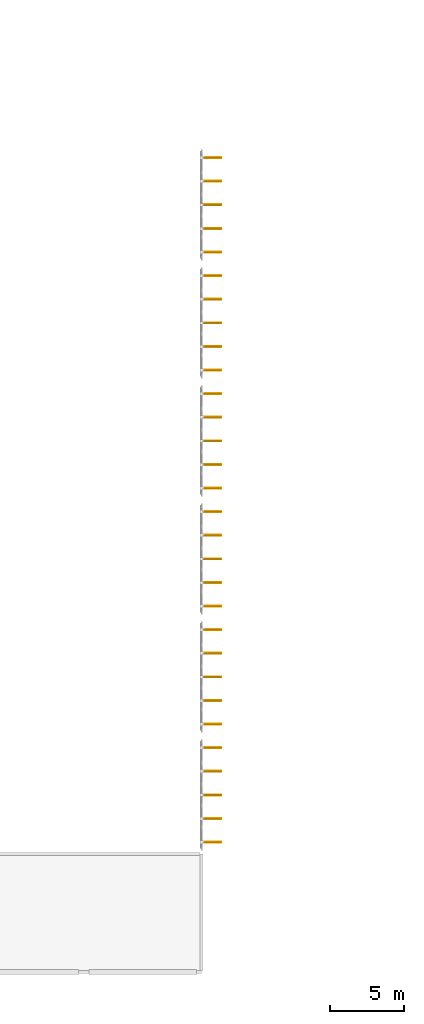
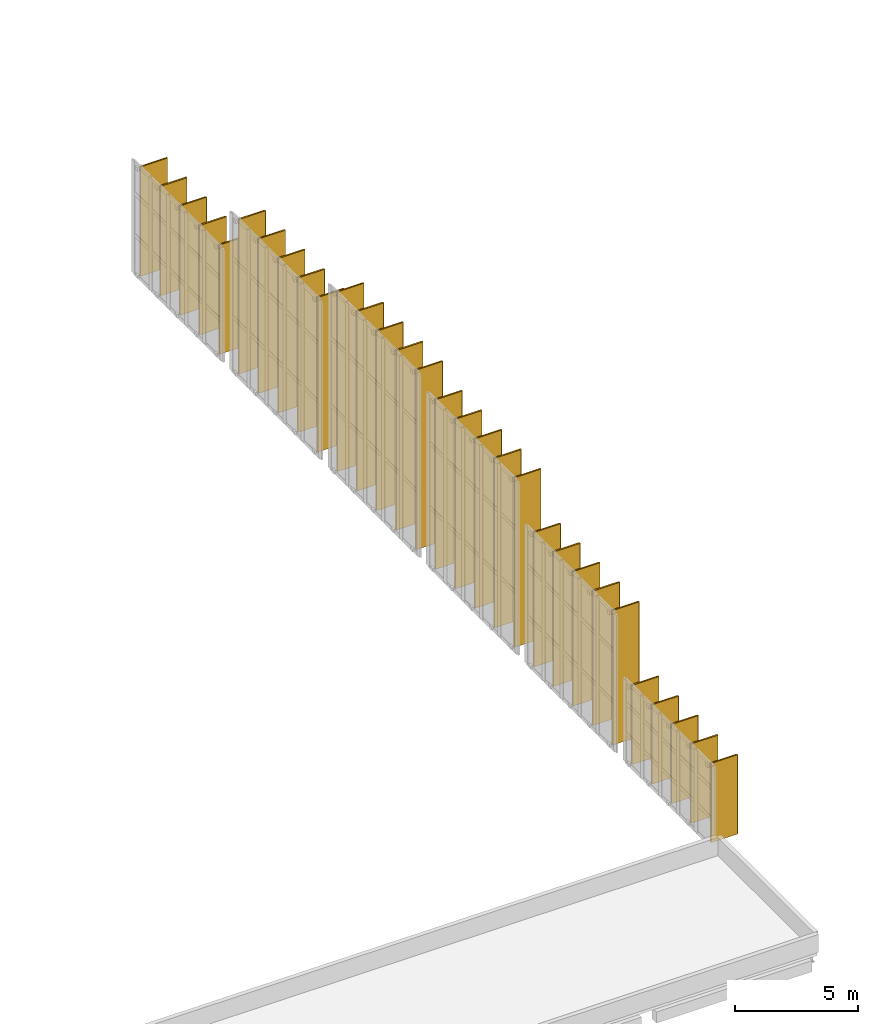
# One storey, part 35 of 38: 30 coverings, 30 shading devices.
"""IFC4 building model written with IfcOpenShell, lengths in metres."""

from ifc_helpers import new_model, si_unit, direction, frame, origin, origin_2d, place, context, subcontext, project, spatial, rectangle, extrude, material, type_object, element, save


model = new_model("IFC4")

# Units and contexts
model_context = context("Model", 3, precision=1e-05, world=origin(), true_north=direction((0.0, 1.0)))
body_context = subcontext(model_context, "Body", "Model", "MODEL_VIEW")
ifc_project = project(units=[si_unit("LENGTHUNIT", "METRE"), si_unit("AREAUNIT", "SQUARE_METRE"), si_unit("VOLUMEUNIT", "CUBIC_METRE"), si_unit("PLANEANGLEUNIT", "RADIAN"), si_unit("MASSUNIT", "GRAM", prefix="KILO")], contexts=[model_context])

# Site, building, storey
site_placement = place(None, origin())
site = spatial("IfcSite", under=ifc_project, at=site_placement, CompositionType="ELEMENT")
building_placement = place(site_placement, origin())
building = spatial("IfcBuilding", under=site, at=building_placement, Name="Drelvana Railside Aquatics Centre", CompositionType="ELEMENT")
storey_placement = place(building_placement, frame((0.0, 0.0, 14.39990234375)))
storey = spatial("IfcBuildingStorey", under=building, at=storey_placement, Name="L03", CompositionType="ELEMENT", Elevation=14.39990234375)

# Coverings
ifc_material = material(Name="Bronze-anodised extruded aluminium 6063-T6", Category="aluminium")
covering_type = type_object("IfcCoveringType", Name="COV-FIN-ALU", PredefinedType="CLADDING", material=ifc_material)
for number, where, z_axis, x_axis, name in (
    (1, (96.68994140625, 24.800048828125, 0.050048828125), (0.0, 0.0, 1.0), (0.0, -1.0, 0.0), "Vertical aluminium fin cladding CF-0401"),
    (2, (96.68994140625, 26.39990234375, 0.050048828125), (0.0, 0.0, 1.0), (0.0, -1.0, 0.0), "Vertical aluminium fin cladding CF-0402"),
    (3, (96.68994140625, 28.0, 0.050048828125), (0.0, 0.0, 1.0), (0.0, -1.0, 0.0), "Vertical aluminium fin cladding CF-0403"),
    (4, (96.68994140625, 29.60009765625, 0.050048828125), (0.0, 0.0, 1.0), (0.0, -1.0, 0.0), "Vertical aluminium fin cladding CF-0404"),
    (5, (96.68994140625, 31.199951171875, 0.050048828125), (0.0, 0.0, 1.0), (0.0, -1.0, 0.0), "Vertical aluminium fin cladding CF-0405"),
):
    element("IfcCovering", number, at=place(storey_placement, frame(where, z_axis=z_axis, x_axis=x_axis)), inside=storey, type_object=covering_type, Name=name, PredefinedType="CLADDING", context=body_context, shape_type="SweptSolid", body=[
        extrude(rectangle(XDim=0.0849609375, YDim=1.25, at=origin_2d()), origin(), (0.0, 0.0, 1.0), 3.93701171875),
    ])
for number, where, z_axis, x_axis, name in (
    (6, (96.68994140625, 32.800048828125, 0.05029296875), (0.0, 0.0, 1.0), (0.0, -1.0, 0.0), "Vertical aluminium fin cladding CF-0406"),
    (7, (96.68994140625, 34.39990234375, 0.05029296875), (0.0, 0.0, 1.0), (0.0, -1.0, 0.0), "Vertical aluminium fin cladding CF-0407"),
    (8, (96.68994140625, 36.0, 0.05029296875), (0.0, 0.0, 1.0), (0.0, -1.0, 0.0), "Vertical aluminium fin cladding CF-0408"),
    (9, (96.68994140625, 37.60009765625, 0.05029296875), (0.0, 0.0, 1.0), (0.0, -1.0, 0.0), "Vertical aluminium fin cladding CF-0409"),
    (10, (96.68994140625, 39.199951171875, 0.05029296875), (0.0, 0.0, 1.0), (0.0, -1.0, 0.0), "Vertical aluminium fin cladding CF-0410"),
):
    element("IfcCovering", number, at=place(storey_placement, frame(where, z_axis=z_axis, x_axis=x_axis)), inside=storey, type_object=covering_type, Name=name, PredefinedType="CLADDING", context=body_context, shape_type="SweptSolid", body=[
        extrude(rectangle(XDim=0.0849609375, YDim=1.25, at=origin_2d()), origin(), (0.0, 0.0, 1.0), 6.677978515625),
    ])
for number, where, z_axis, x_axis, name in (
    (11, (96.68994140625, 40.800048828125, 0.050048828125), (0.0, 0.0, 1.0), (0.0, -1.0, 0.0), "Vertical aluminium fin cladding CF-0411"),
    (12, (96.68994140625, 42.39990234375, 0.050048828125), (0.0, 0.0, 1.0), (0.0, -1.0, 0.0), "Vertical aluminium fin cladding CF-0412"),
    (13, (96.68994140625, 44.0, 0.050048828125), (0.0, 0.0, 1.0), (0.0, -1.0, 0.0), "Vertical aluminium fin cladding CF-0413"),
    (14, (96.68994140625, 45.60009765625, 0.050048828125), (0.0, 0.0, 1.0), (0.0, -1.0, 0.0), "Vertical aluminium fin cladding CF-0414"),
    (15, (96.68994140625, 47.199951171875, 0.050048828125), (0.0, 0.0, 1.0), (0.0, -1.0, 0.0), "Vertical aluminium fin cladding CF-0415"),
):
    element("IfcCovering", number, at=place(storey_placement, frame(where, z_axis=z_axis, x_axis=x_axis)), inside=storey, type_object=covering_type, Name=name, PredefinedType="CLADDING", context=body_context, shape_type="SweptSolid", body=[
        extrude(rectangle(XDim=0.0849609375, YDim=1.25, at=origin_2d()), origin(), (0.0, 0.0, 1.0), 8.4208984375),
    ])
for number, where, z_axis, x_axis, name in (
    (16, (96.68994140625, 48.800048828125, 0.050048828125), (0.0, 0.0, 1.0), (0.0, -1.0, 0.0), "Vertical aluminium fin cladding CF-0416"),
    (17, (96.68994140625, 50.39990234375, 0.050048828125), (0.0, 0.0, 1.0), (0.0, -1.0, 0.0), "Vertical aluminium fin cladding CF-0417"),
    (18, (96.68994140625, 52.0, 0.050048828125), (0.0, 0.0, 1.0), (0.0, -1.0, 0.0), "Vertical aluminium fin cladding CF-0418"),
    (19, (96.68994140625, 53.60009765625, 0.050048828125), (0.0, 0.0, 1.0), (0.0, -1.0, 0.0), "Vertical aluminium fin cladding CF-0419"),
    (20, (96.68994140625, 55.199951171875, 0.050048828125), (0.0, 0.0, 1.0), (0.0, -1.0, 0.0), "Vertical aluminium fin cladding CF-0420"),
):
    element("IfcCovering", number, at=place(storey_placement, frame(where, z_axis=z_axis, x_axis=x_axis)), inside=storey, type_object=covering_type, Name=name, PredefinedType="CLADDING", context=body_context, shape_type="SweptSolid", body=[
        extrude(rectangle(XDim=0.0849609375, YDim=1.25, at=origin_2d()), origin(), (0.0, 0.0, 1.0), 8.919921875),
    ])
for number, where, z_axis, x_axis, name in (
    (21, (96.68994140625, 56.800048828125, 0.05029296875), (0.0, 0.0, 1.0), (0.0, -1.0, 0.0), "Vertical aluminium fin cladding CF-0421"),
    (22, (96.68994140625, 58.39990234375, 0.05029296875), (0.0, 0.0, 1.0), (0.0, -1.0, 0.0), "Vertical aluminium fin cladding CF-0422"),
    (23, (96.68994140625, 60.0, 0.05029296875), (0.0, 0.0, 1.0), (0.0, -1.0, 0.0), "Vertical aluminium fin cladding CF-0423"),
    (24, (96.68994140625, 61.60009765625, 0.05029296875), (0.0, 0.0, 1.0), (0.0, -1.0, 0.0), "Vertical aluminium fin cladding CF-0424"),
    (25, (96.68994140625, 63.199951171875, 0.05029296875), (0.0, 0.0, 1.0), (0.0, -1.0, 0.0), "Vertical aluminium fin cladding CF-0425"),
):
    element("IfcCovering", number, at=place(storey_placement, frame(where, z_axis=z_axis, x_axis=x_axis)), inside=storey, type_object=covering_type, Name=name, PredefinedType="CLADDING", context=body_context, shape_type="SweptSolid", body=[
        extrude(rectangle(XDim=0.0849609375, YDim=1.25, at=origin_2d()), origin(), (0.0, 0.0, 1.0), 7.674072265625),
    ])
for number, where, z_axis, x_axis, name in (
    (26, (96.68994140625, 64.800048828125, 0.05029296875), (0.0, 0.0, 1.0), (0.0, -1.0, 0.0), "Vertical aluminium fin cladding CF-0426"),
    (27, (96.68994140625, 66.39990234375, 0.05029296875), (0.0, 0.0, 1.0), (0.0, -1.0, 0.0), "Vertical aluminium fin cladding CF-0427"),
    (28, (96.68994140625, 68.0, 0.05029296875), (0.0, 0.0, 1.0), (0.0, -1.0, 0.0), "Vertical aluminium fin cladding CF-0428"),
    (29, (96.68994140625, 69.60009765625, 0.05029296875), (0.0, 0.0, 1.0), (0.0, -1.0, 0.0), "Vertical aluminium fin cladding CF-0429"),
    (30, (96.68994140625, 71.199951171875, 0.05029296875), (0.0, 0.0, 1.0), (0.0, -1.0, 0.0), "Vertical aluminium fin cladding CF-0430"),
):
    element("IfcCovering", number, at=place(storey_placement, frame(where, z_axis=z_axis, x_axis=x_axis)), inside=storey, type_object=covering_type, Name=name, PredefinedType="CLADDING", context=body_context, shape_type="SweptSolid", body=[
        extrude(rectangle(XDim=0.0849609375, YDim=1.25, at=origin_2d()), origin(), (0.0, 0.0, 1.0), 5.431884765625),
    ])

# Shading devices
shading_device_type = type_object("IfcShadingDeviceType", Name="SHD-FIN-1250", PredefinedType="USERDEFINED", material=ifc_material)
for number, where, z_axis, x_axis, name in (
    (31, (96.7099609375, 24.800048828125, 0.050048828125), (0.0, 0.0, 1.0), (1.0, 0.0, 0.0), "Vertical bronze shading fin FN-0408"),
    (32, (96.7099609375, 26.39990234375, 0.050048828125), (0.0, 0.0, 1.0), (1.0, 0.0, 0.0), "Vertical bronze shading fin FN-0409"),
    (33, (96.7099609375, 28.0, 0.050048828125), (0.0, 0.0, 1.0), (1.0, 0.0, 0.0), "Vertical bronze shading fin FN-0410"),
    (34, (96.7099609375, 29.60009765625, 0.050048828125), (0.0, 0.0, 1.0), (1.0, 0.0, 0.0), "Vertical bronze shading fin FN-0411"),
    (35, (96.7099609375, 31.199951171875, 0.050048828125), (0.0, 0.0, 1.0), (1.0, 0.0, 0.0), "Vertical bronze shading fin FN-0412"),
):
    element("IfcShadingDevice", number, at=place(storey_placement, frame(where, z_axis=z_axis, x_axis=x_axis)), inside=storey, type_object=shading_device_type, Name=name, ObjectType="FIN", PredefinedType="USERDEFINED", context=body_context, shape_type="SweptSolid", body=[
        extrude(rectangle(XDim=1.25, YDim=0.06494140625, at=origin_2d()), origin(), (0.0, 0.0, 1.0), 3.93701171875),
    ])
for number, where, z_axis, x_axis, name in (
    (36, (96.7099609375, 32.800048828125, 0.05029296875), (0.0, 0.0, 1.0), (1.0, 0.0, 0.0), "Vertical bronze shading fin FN-0413"),
    (37, (96.7099609375, 34.39990234375, 0.05029296875), (0.0, 0.0, 1.0), (1.0, 0.0, 0.0), "Vertical bronze shading fin FN-0414"),
    (38, (96.7099609375, 36.0, 0.05029296875), (0.0, 0.0, 1.0), (1.0, 0.0, 0.0), "Vertical bronze shading fin FN-0415"),
    (39, (96.7099609375, 37.60009765625, 0.05029296875), (0.0, 0.0, 1.0), (1.0, 0.0, 0.0), "Vertical bronze shading fin FN-0416"),
    (40, (96.7099609375, 39.199951171875, 0.05029296875), (0.0, 0.0, 1.0), (1.0, 0.0, 0.0), "Vertical bronze shading fin FN-0417"),
):
    element("IfcShadingDevice", number, at=place(storey_placement, frame(where, z_axis=z_axis, x_axis=x_axis)), inside=storey, type_object=shading_device_type, Name=name, ObjectType="FIN", PredefinedType="USERDEFINED", context=body_context, shape_type="SweptSolid", body=[
        extrude(rectangle(XDim=1.25, YDim=0.06494140625, at=origin_2d()), origin(), (0.0, 0.0, 1.0), 6.677978515625),
    ])
for number, where, z_axis, x_axis, name in (
    (41, (96.7099609375, 40.800048828125, 0.050048828125), (0.0, 0.0, 1.0), (1.0, 0.0, 0.0), "Vertical bronze shading fin FN-0418"),
    (42, (96.7099609375, 42.39990234375, 0.050048828125), (0.0, 0.0, 1.0), (1.0, 0.0, 0.0), "Vertical bronze shading fin FN-0419"),
    (43, (96.7099609375, 44.0, 0.050048828125), (0.0, 0.0, 1.0), (1.0, 0.0, 0.0), "Vertical bronze shading fin FN-0420"),
    (44, (96.7099609375, 45.60009765625, 0.050048828125), (0.0, 0.0, 1.0), (1.0, 0.0, 0.0), "Vertical bronze shading fin FN-0421"),
    (45, (96.7099609375, 47.199951171875, 0.050048828125), (0.0, 0.0, 1.0), (1.0, 0.0, 0.0), "Vertical bronze shading fin FN-0422"),
):
    element("IfcShadingDevice", number, at=place(storey_placement, frame(where, z_axis=z_axis, x_axis=x_axis)), inside=storey, type_object=shading_device_type, Name=name, ObjectType="FIN", PredefinedType="USERDEFINED", context=body_context, shape_type="SweptSolid", body=[
        extrude(rectangle(XDim=1.25, YDim=0.06494140625, at=origin_2d()), origin(), (0.0, 0.0, 1.0), 8.4208984375),
    ])
for number, where, z_axis, x_axis, name in (
    (46, (96.7099609375, 48.800048828125, 0.050048828125), (0.0, 0.0, 1.0), (1.0, 0.0, 0.0), "Vertical bronze shading fin FN-0423"),
    (47, (96.7099609375, 50.39990234375, 0.050048828125), (0.0, 0.0, 1.0), (1.0, 0.0, 0.0), "Vertical bronze shading fin FN-0424"),
    (48, (96.7099609375, 52.0, 0.050048828125), (0.0, 0.0, 1.0), (1.0, 0.0, 0.0), "Vertical bronze shading fin FN-0425"),
    (49, (96.7099609375, 53.60009765625, 0.050048828125), (0.0, 0.0, 1.0), (1.0, 0.0, 0.0), "Vertical bronze shading fin FN-0426"),
    (50, (96.7099609375, 55.199951171875, 0.050048828125), (0.0, 0.0, 1.0), (1.0, 0.0, 0.0), "Vertical bronze shading fin FN-0427"),
):
    element("IfcShadingDevice", number, at=place(storey_placement, frame(where, z_axis=z_axis, x_axis=x_axis)), inside=storey, type_object=shading_device_type, Name=name, ObjectType="FIN", PredefinedType="USERDEFINED", context=body_context, shape_type="SweptSolid", body=[
        extrude(rectangle(XDim=1.25, YDim=0.06494140625, at=origin_2d()), origin(), (0.0, 0.0, 1.0), 8.919921875),
    ])
for number, where, z_axis, x_axis, name in (
    (51, (96.7099609375, 56.800048828125, 0.05029296875), (0.0, 0.0, 1.0), (1.0, 0.0, 0.0), "Vertical bronze shading fin FN-0428"),
    (52, (96.7099609375, 58.39990234375, 0.05029296875), (0.0, 0.0, 1.0), (1.0, 0.0, 0.0), "Vertical bronze shading fin FN-0429"),
    (53, (96.7099609375, 60.0, 0.05029296875), (0.0, 0.0, 1.0), (1.0, 0.0, 0.0), "Vertical bronze shading fin FN-0430"),
    (54, (96.7099609375, 61.60009765625, 0.05029296875), (0.0, 0.0, 1.0), (1.0, 0.0, 0.0), "Vertical bronze shading fin FN-0431"),
    (55, (96.7099609375, 63.199951171875, 0.05029296875), (0.0, 0.0, 1.0), (1.0, 0.0, 0.0), "Vertical bronze shading fin FN-0432"),
):
    element("IfcShadingDevice", number, at=place(storey_placement, frame(where, z_axis=z_axis, x_axis=x_axis)), inside=storey, type_object=shading_device_type, Name=name, ObjectType="FIN", PredefinedType="USERDEFINED", context=body_context, shape_type="SweptSolid", body=[
        extrude(rectangle(XDim=1.25, YDim=0.06494140625, at=origin_2d()), origin(), (0.0, 0.0, 1.0), 7.674072265625),
    ])
for number, where, z_axis, x_axis, name in (
    (56, (96.7099609375, 64.800048828125, 0.05029296875), (0.0, 0.0, 1.0), (1.0, 0.0, 0.0), "Vertical bronze shading fin FN-0433"),
    (57, (96.7099609375, 66.39990234375, 0.05029296875), (0.0, 0.0, 1.0), (1.0, 0.0, 0.0), "Vertical bronze shading fin FN-0434"),
    (58, (96.7099609375, 68.0, 0.05029296875), (0.0, 0.0, 1.0), (1.0, 0.0, 0.0), "Vertical bronze shading fin FN-0435"),
    (59, (96.7099609375, 69.60009765625, 0.05029296875), (0.0, 0.0, 1.0), (1.0, 0.0, 0.0), "Vertical bronze shading fin FN-0436"),
    (60, (96.7099609375, 71.199951171875, 0.05029296875), (0.0, 0.0, 1.0), (1.0, 0.0, 0.0), "Vertical bronze shading fin FN-0437"),
):
    element("IfcShadingDevice", number, at=place(storey_placement, frame(where, z_axis=z_axis, x_axis=x_axis)), inside=storey, type_object=shading_device_type, Name=name, ObjectType="FIN", PredefinedType="USERDEFINED", context=body_context, shape_type="SweptSolid", body=[
        extrude(rectangle(XDim=1.25, YDim=0.06494140625, at=origin_2d()), origin(), (0.0, 0.0, 1.0), 5.431884765625),
    ])

save(model, "model.ifc")
